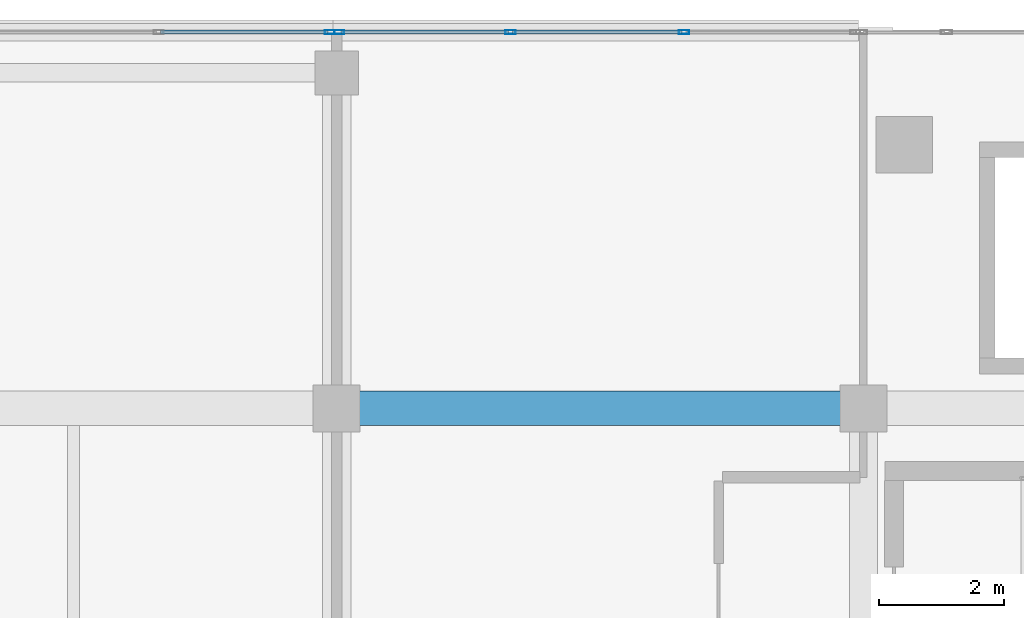
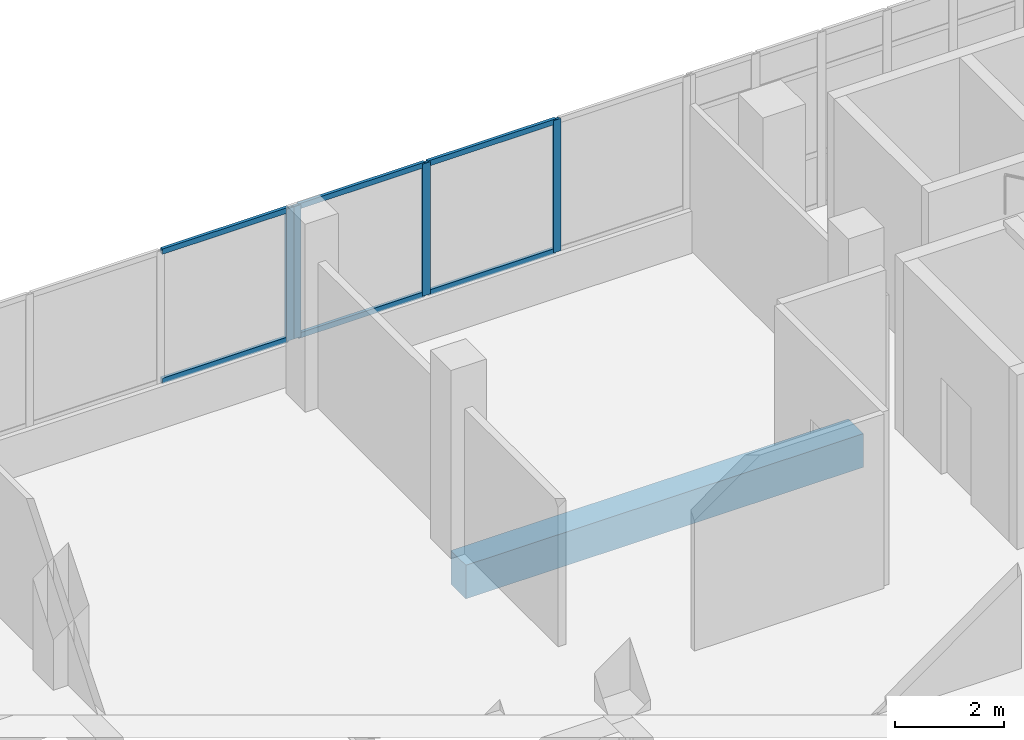
# One storey, part 96 of 184: 10 members, 1 beam, 2 elements without a shape of their own.
"""IFC4 building model written with IfcOpenShell, lengths in metres."""

from ifc_helpers import new_model, si_unit, direction, frame, origin, origin_2d, place, context, subcontext, project, spatial, rectangle, hollow_rectangle, extrude, material, material_profile, profile_set, type_object, element, aggregate, save


model = new_model("IFC4")

# Units and contexts
model_context = context("Model", 3, precision=1e-05, world=origin(), true_north=direction((0.0, 1.0)))
body_context = subcontext(model_context, "Body", "Model", "MODEL_VIEW")
ifc_project = project(units=[si_unit("LENGTHUNIT", "METRE"), si_unit("AREAUNIT", "SQUARE_METRE"), si_unit("VOLUMEUNIT", "CUBIC_METRE"), si_unit("PLANEANGLEUNIT", "RADIAN"), si_unit("MASSUNIT", "GRAM", prefix="KILO")], contexts=[model_context])

# Site, building, storey
site_placement = place(None, origin())
site = spatial("IfcSite", under=ifc_project, at=site_placement, CompositionType="ELEMENT")
building_placement = place(site_placement, origin())
building = spatial("IfcBuilding", under=site, at=building_placement, Name="Selatvlak General Hospital", CompositionType="ELEMENT")
storey_placement = place(building_placement, frame((0.0, 0.0, 15.0)))
storey = spatial("IfcBuildingStorey", under=building, at=storey_placement, Name="L03", CompositionType="ELEMENT", Elevation=15.0)

# Beam
ifc_material_1 = material(Name="Concrete C40/50", Category="concrete")
ifc_material_profile_1 = material_profile(ifc_material_1, rectangle(XDim=0.550048828125, YDim=0.75, at=origin_2d()), Name="RC-BM 550x750")
ifc_profile_set_1 = profile_set([ifc_material_profile_1], Name="Concrete C40/50")
beam_type = type_object("IfcBeamType", Name="BM-G02", PredefinedType="BEAM", material=ifc_profile_set_1)
beam_placement = place(storey_placement, frame((39.60009765625, 114.0, -0.715087890625), z_axis=(1.0, 0.0, 0.0), x_axis=(0.0, 1.0, 0.0)))
element("IfcBeam", 1, at=beam_placement, inside=storey, type_object=beam_type, Name="Beam BMR-L03-1264", PredefinedType="BEAM", context=body_context, shape_type="SweptSolid", body=[
    extrude(rectangle(XDim=0.550048828125, YDim=0.75, at=origin_2d()), origin(), (0.0, 0.0, 1.0), 8.39990234375),
])

# Curtain wall, member
ifc_material_2 = material(Name="Solar-control Low-E double glazing", Category="glass")
curtain_wall_type_1 = type_object("IfcCurtainWallType", Name="CW-CW-01", PredefinedType="USERDEFINED", material=ifc_material_2)
curtain_wall_1_placement = place(storey_placement, origin())
curtain_wall_1 = element("IfcCurtainWall", 2, at=curtain_wall_1_placement, inside=storey, type_object=curtain_wall_type_1, Name="Glazed facade curtain wall CW-L03-0366", ObjectType="UNITISED CURTAIN WALL", PredefinedType="USERDEFINED")
ifc_material_3 = material(Name="Dark anodised aluminium mullion", Category="aluminium")
ifc_material_profile_2 = material_profile(ifc_material_3, hollow_rectangle(XDim=0.06494140625, YDim=0.159912109375, WallThickness=0.00390625, at=origin_2d()), Name="AL-MUL 65x160x4")
ifc_profile_set_2 = profile_set([ifc_material_profile_2], Name="Dark anodised aluminium mullion")
member_type_1 = type_object("IfcMemberType", Name="CWM-01", PredefinedType="MULLION", material=ifc_profile_set_2)
member_1_placement = place(storey_placement, frame((39.492431640625, 119.9990234375, 0.93994140625), z_axis=(0.0, 0.0, 1.0), x_axis=(0.0, 1.0, 0.0)))
member_1 = element("IfcMember", 3, at=member_1_placement, type_object=member_type_1, Name="CW-01 mullion 4", PredefinedType="MULLION", context=body_context, shape_type="SweptSolid", body=[
    extrude(hollow_rectangle(XDim=0.06494140625, YDim=0.159912109375, WallThickness=0.00390625, at=origin_2d()), origin(), (0.0, 0.0, 1.0), 2.955078125),
])

# Curtain wall, members
curtain_wall_type_2 = type_object("IfcCurtainWallType", Name="CW-CW-02", PredefinedType="USERDEFINED", material=ifc_material_2)
curtain_wall_2_placement = place(storey_placement, origin())
curtain_wall_2 = element("IfcCurtainWall", 4, at=curtain_wall_2_placement, inside=storey, type_object=curtain_wall_type_2, Name="Glazed facade curtain wall CW-L03-0367", ObjectType="UNITISED CURTAIN WALL", PredefinedType="USERDEFINED")
member_2_placement = place(storey_placement, frame((39.637451171875, 119.9990234375, 0.93994140625), z_axis=(0.0, 0.0, 1.0), x_axis=(0.0, 1.0, 0.0)))
member_2 = element("IfcMember", 5, at=member_2_placement, type_object=member_type_1, Name="CW-02 mullion 1", PredefinedType="MULLION", context=body_context, shape_type="SweptSolid", body=[
    extrude(hollow_rectangle(XDim=0.06494140625, YDim=0.159912109375, WallThickness=0.00390625, at=origin_2d()), origin(), (0.0, 0.0, 1.0), 2.955078125),
])
member_3_placement = place(storey_placement, frame((42.37158203125, 119.9990234375, 0.93994140625), z_axis=(0.0, 0.0, 1.0), x_axis=(0.0, 1.0, 0.0)))
member_3 = element("IfcMember", 6, at=member_3_placement, type_object=member_type_1, Name="CW-02 mullion 2", PredefinedType="MULLION", context=body_context, shape_type="SweptSolid", body=[
    extrude(hollow_rectangle(XDim=0.06494140625, YDim=0.159912109375, WallThickness=0.00390625, at=origin_2d()), origin(), (0.0, 0.0, 1.0), 2.955078125),
])
member_4_placement = place(storey_placement, frame((45.138427734375, 119.9990234375, 0.93994140625), z_axis=(0.0, 0.0, 1.0), x_axis=(0.0, 1.0, 0.0)))
member_4 = element("IfcMember", 7, at=member_4_placement, type_object=member_type_1, Name="CW-02 mullion 3", PredefinedType="MULLION", context=body_context, shape_type="SweptSolid", body=[
    extrude(hollow_rectangle(XDim=0.06494140625, YDim=0.159912109375, WallThickness=0.00390625, at=origin_2d()), origin(), (0.0, 0.0, 1.0), 2.955078125),
])

# Member
ifc_material_profile_3 = material_profile(ifc_material_3, hollow_rectangle(XDim=0.06494140625, YDim=0.1201171875, WallThickness=0.00390625, at=origin_2d()), Name="AL-TRN 65x120x4")
ifc_profile_set_3 = profile_set([ifc_material_profile_3], Name="Dark anodised aluminium mullion")
member_type_2 = type_object("IfcMemberType", Name="CWT-01", PredefinedType="USERDEFINED", material=ifc_profile_set_3)
member_5_placement = place(storey_placement, frame((36.790771484375, 119.9990234375, 0.972412109375), z_axis=(1.0, 0.0, 0.0), x_axis=(0.0, 1.0, 0.0)))
member_5 = element("IfcMember", 8, at=member_5_placement, type_object=member_type_2, Name="CW-01 transom 3.1", ObjectType="TRANSOM", PredefinedType="USERDEFINED", context=body_context, shape_type="SweptSolid", body=[
    extrude(hollow_rectangle(XDim=0.06494140625, YDim=0.1201171875, WallThickness=0.00390625, at=origin_2d()), origin(), (0.0, 0.0, 1.0), 2.669189453125),
])

member_6_placement = place(storey_placement, frame((36.790771484375, 119.9990234375, 3.862548828125), z_axis=(1.0, 0.0, 0.0), x_axis=(0.0, 1.0, 0.0)))
member_6 = element("IfcMember", 9, at=member_6_placement, type_object=member_type_2, Name="CW-01 transom 3.2", ObjectType="TRANSOM", PredefinedType="USERDEFINED", context=body_context, shape_type="SweptSolid", body=[
    extrude(hollow_rectangle(XDim=0.06494140625, YDim=0.1201171875, WallThickness=0.00390625, at=origin_2d()), origin(), (0.0, 0.0, 1.0), 2.669189453125),
])

aggregate(curtain_wall_1, [member_1, member_5, member_6])

member_7_placement = place(storey_placement, frame((39.669921875, 119.9990234375, 0.972412109375), z_axis=(1.0, 0.0, 0.0), x_axis=(0.0, 1.0, 0.0)))
member_7 = element("IfcMember", 10, at=member_7_placement, type_object=member_type_2, Name="CW-02 transom 1.1", ObjectType="TRANSOM", PredefinedType="USERDEFINED", context=body_context, shape_type="SweptSolid", body=[
    extrude(hollow_rectangle(XDim=0.06494140625, YDim=0.1201171875, WallThickness=0.00390625, at=origin_2d()), origin(), (0.0, 0.0, 1.0), 2.669189453125),
])

member_8_placement = place(storey_placement, frame((39.669921875, 119.9990234375, 3.862548828125), z_axis=(1.0, 0.0, 0.0), x_axis=(0.0, 1.0, 0.0)))
member_8 = element("IfcMember", 11, at=member_8_placement, type_object=member_type_2, Name="CW-02 transom 1.2", ObjectType="TRANSOM", PredefinedType="USERDEFINED", context=body_context, shape_type="SweptSolid", body=[
    extrude(hollow_rectangle(XDim=0.06494140625, YDim=0.1201171875, WallThickness=0.00390625, at=origin_2d()), origin(), (0.0, 0.0, 1.0), 2.669189453125),
])

member_9_placement = place(storey_placement, frame((42.404052734375, 119.9990234375, 0.972412109375), z_axis=(1.0, 0.0, 0.0), x_axis=(0.0, 1.0, 0.0)))
member_9 = element("IfcMember", 12, at=member_9_placement, type_object=member_type_2, Name="CW-02 transom 2.1", ObjectType="TRANSOM", PredefinedType="USERDEFINED", context=body_context, shape_type="SweptSolid", body=[
    extrude(hollow_rectangle(XDim=0.06494140625, YDim=0.1201171875, WallThickness=0.00390625, at=origin_2d()), origin(), (0.0, 0.0, 1.0), 2.70166015625),
])

member_10_placement = place(storey_placement, frame((42.404052734375, 119.9990234375, 3.862548828125), z_axis=(1.0, 0.0, 0.0), x_axis=(0.0, 1.0, 0.0)))
member_10 = element("IfcMember", 13, at=member_10_placement, type_object=member_type_2, Name="CW-02 transom 2.2", ObjectType="TRANSOM", PredefinedType="USERDEFINED", context=body_context, shape_type="SweptSolid", body=[
    extrude(hollow_rectangle(XDim=0.06494140625, YDim=0.1201171875, WallThickness=0.00390625, at=origin_2d()), origin(), (0.0, 0.0, 1.0), 2.70166015625),
])

aggregate(curtain_wall_2, [member_2, member_3, member_4, member_7, member_8, member_9, member_10])

save(model, "model.ifc")
